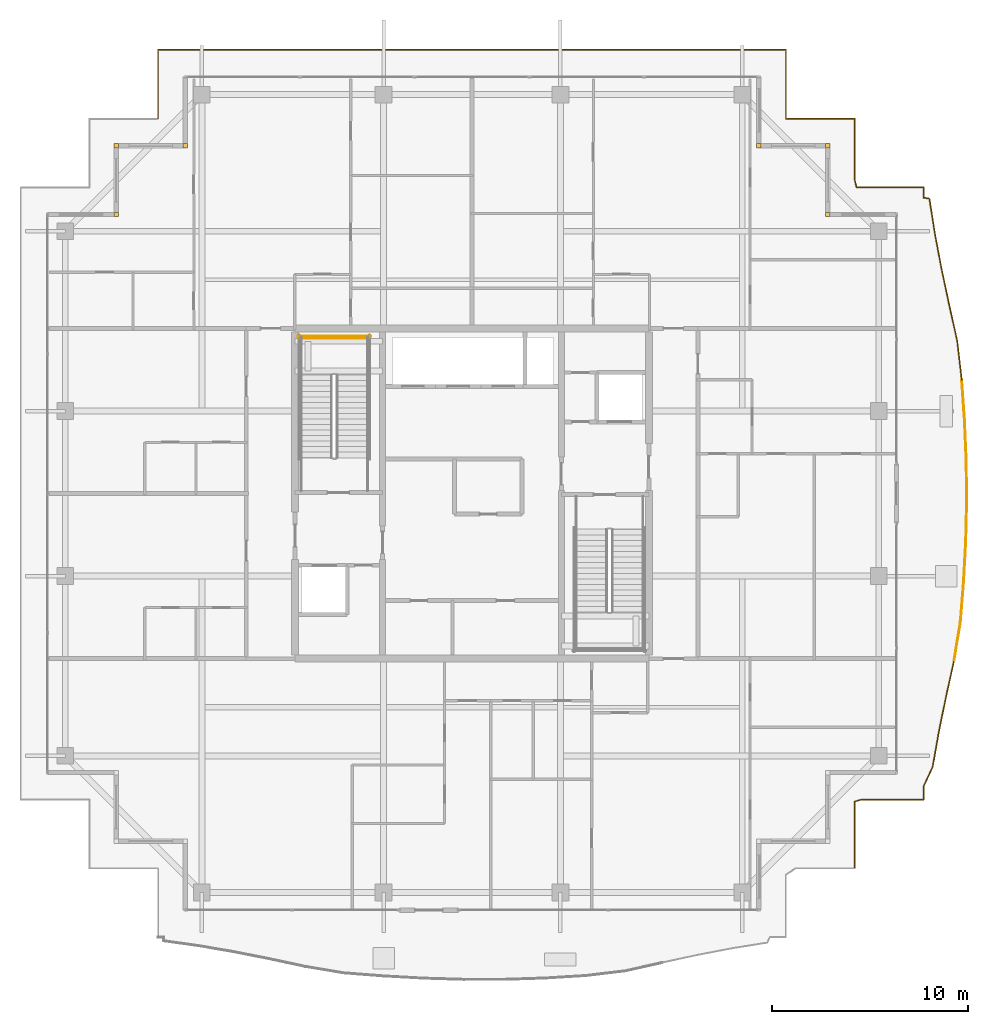
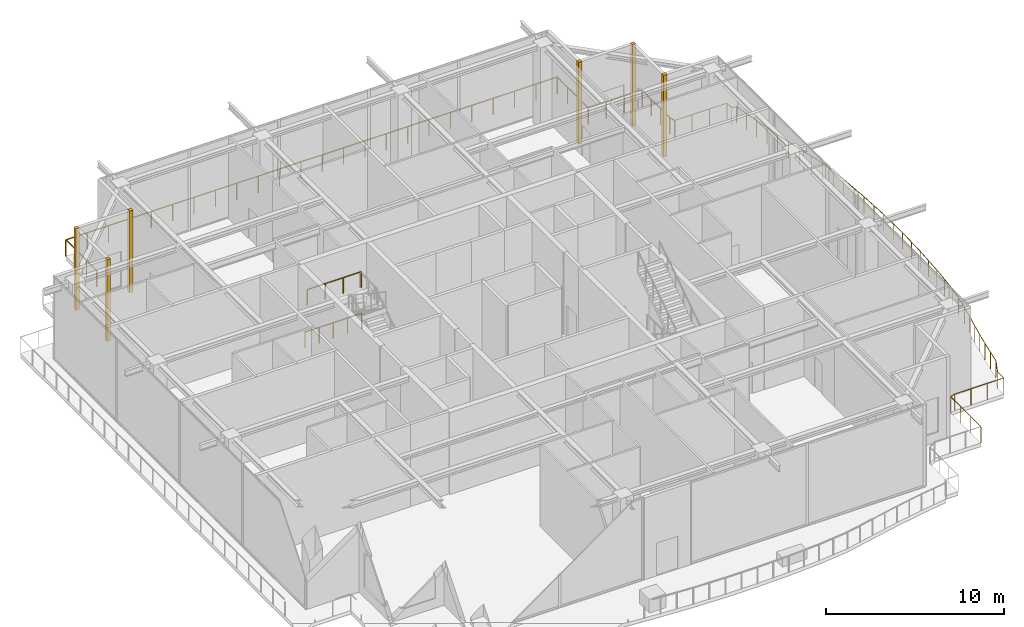
# One storey, part 38 of 38: 6 coverings, 6 railings.
"""IFC4 building model written with IfcOpenShell, lengths in metres."""

from ifc_helpers import new_model, si_unit, direction, frame, origin, origin_2d, place, context, subcontext, project, spatial, rectangle, circle, extrude, source, transform, mapped, material, layer, layer_set, type_object, element, save


model = new_model("IFC4")

# Units and contexts
model_context = context("Model", 3, precision=1e-05, world=origin(), true_north=direction((0.0, 1.0)))
body_context = subcontext(model_context, "Body", "Model", "MODEL_VIEW")
ifc_project = project(units=[si_unit("LENGTHUNIT", "METRE"), si_unit("AREAUNIT", "SQUARE_METRE"), si_unit("VOLUMEUNIT", "CUBIC_METRE"), si_unit("PLANEANGLEUNIT", "RADIAN"), si_unit("MASSUNIT", "GRAM", prefix="KILO")], contexts=[model_context])

# Site, building, storey
site_placement = place(None, origin())
site = spatial("IfcSite", under=ifc_project, at=site_placement, CompositionType="ELEMENT")
building_placement = place(site_placement, origin())
building = spatial("IfcBuilding", under=site, at=building_placement, Name="Serunith Strait Residences", CompositionType="ELEMENT")
storey_placement = place(building_placement, frame((0.0, 0.0, 342.050048828125)))
storey = spatial("IfcBuildingStorey", under=building, at=storey_placement, Name="L85", CompositionType="ELEMENT", Elevation=342.050048828125)

# Railings
ifc_material_1 = material(Name="Stainless Steel & Laminated Glass Balustrade", Category="steel")
railing_type_1 = type_object("IfcRailingType", Name="RLG-BALC-1150", PredefinedType="BALUSTRADE", material=ifc_material_1)
railing_1_placement = place(storey_placement, frame((16.367919921875, 44.280029296875, -0.050048828125)))
element("IfcRailing", 1, at=railing_1_placement, inside=storey, type_object=railing_type_1, Name="L85 Swirling Balcony Perimeter Balustrade 2", PredefinedType="BALUSTRADE", context=body_context, shape_type="SweptSolid", body=[
    extrude(circle(Radius=0.02392578125, at=origin_2d()), frame((0.052001953125, 0.029052734375, 1.1259765625), z_axis=(0.0, 1.0, 0.0), x_axis=(-1.0, 0.0, 0.0)), (0.0, 0.0, 1.0), 3.468994140625),
    extrude(circle(Radius=0.02392578125, at=origin_2d()), frame((0.053955078125, 3.5, 1.1259765625), z_axis=(1.0, 0.0, 0.0), x_axis=(0.0, 1.0, 0.0)), (0.0, 0.0, 1.0), 31.9560546875),
    extrude(circle(Radius=0.02392578125, at=origin_2d()), frame((32.011962890625, 3.498046875, 1.1259765625), z_axis=(0.0, -1.0, 0.0), x_axis=(1.0, 0.0, 0.0)), (0.0, 0.0, 1.0), 3.49609375),
    extrude(circle(Radius=0.02392578125, at=origin_2d()), frame((32.013916015625, 0.0, 1.1259765625), z_axis=(1.0, 0.0, 0.0), x_axis=(0.0, 1.0, 0.0)), (0.0, 0.0, 1.0), 3.49609375),
    extrude(circle(Radius=0.02392578125, at=origin_2d()), frame((35.511962890625, -0.001953125, 1.1259765625), z_axis=(0.0, -1.0, 0.0), x_axis=(1.0, 0.0, 0.0)), (0.0, 0.0, 1.0), 3.1064453125),
    extrude(circle(Radius=0.02392578125, at=origin_2d()), frame((35.512451171875, -3.1123046875, 1.1259765625), z_axis=(0.230466383879, -0.97308028749, 0.0), x_axis=(0.97308028749, 0.230466383879, 0.0)), (0.0, 0.0, 1.0), 0.396484375),
    extrude(circle(Radius=0.02099609375, at=origin_2d()), frame((0.052001953125, 0.027099609375, 0.0)), (0.0, 0.0, 1.0), 1.099853515625),
    extrude(circle(Radius=0.02099609375, at=origin_2d()), frame((0.052001953125, 1.184814453125, 0.0)), (0.0, 0.0, 1.0), 1.099853515625),
    extrude(circle(Radius=0.02099609375, at=origin_2d()), frame((0.052001953125, 2.34228515625, 0.0)), (0.0, 0.0, 1.0), 1.099853515625),
    extrude(circle(Radius=0.02099609375, at=origin_2d()), frame((0.052001953125, 3.5, 0.0)), (0.0, 0.0, 1.0), 1.099853515625),
    extrude(circle(Radius=0.02099609375, at=origin_2d()), frame((1.441650390625, 3.5, 0.0)), (0.0, 0.0, 1.0), 1.099853515625),
    extrude(circle(Radius=0.02099609375, at=origin_2d()), frame((2.8310546875, 3.5, 0.0)), (0.0, 0.0, 1.0), 1.099853515625),
    extrude(circle(Radius=0.02099609375, at=origin_2d()), frame((4.220703125, 3.5, 0.0)), (0.0, 0.0, 1.0), 1.099853515625),
    extrude(circle(Radius=0.02099609375, at=origin_2d()), frame((5.6103515625, 3.5, 0.0)), (0.0, 0.0, 1.0), 1.099853515625),
    extrude(circle(Radius=0.02099609375, at=origin_2d()), frame((6.999755859375, 3.5, 0.0)), (0.0, 0.0, 1.0), 1.099853515625),
    extrude(circle(Radius=0.02099609375, at=origin_2d()), frame((8.389404296875, 3.5, 0.0)), (0.0, 0.0, 1.0), 1.099853515625),
    extrude(circle(Radius=0.02099609375, at=origin_2d()), frame((9.779052734375, 3.5, 0.0)), (0.0, 0.0, 1.0), 1.099853515625),
    extrude(circle(Radius=0.02099609375, at=origin_2d()), frame((11.16845703125, 3.5, 0.0)), (0.0, 0.0, 1.0), 1.099853515625),
    extrude(circle(Radius=0.02099609375, at=origin_2d()), frame((12.55810546875, 3.5, 0.0)), (0.0, 0.0, 1.0), 1.099853515625),
    extrude(circle(Radius=0.02099609375, at=origin_2d()), frame((13.94775390625, 3.5, 0.0)), (0.0, 0.0, 1.0), 1.099853515625),
    extrude(circle(Radius=0.02099609375, at=origin_2d()), frame((15.337158203125, 3.5, 0.0)), (0.0, 0.0, 1.0), 1.099853515625),
    extrude(circle(Radius=0.02099609375, at=origin_2d()), frame((16.726806640625, 3.5, 0.0)), (0.0, 0.0, 1.0), 1.099853515625),
    extrude(circle(Radius=0.02099609375, at=origin_2d()), frame((18.1162109375, 3.5, 0.0)), (0.0, 0.0, 1.0), 1.099853515625),
    extrude(circle(Radius=0.02099609375, at=origin_2d()), frame((19.505859375, 3.5, 0.0)), (0.0, 0.0, 1.0), 1.099853515625),
    extrude(circle(Radius=0.02099609375, at=origin_2d()), frame((20.8955078125, 3.5, 0.0)), (0.0, 0.0, 1.0), 1.099853515625),
    extrude(circle(Radius=0.02099609375, at=origin_2d()), frame((22.284912109375, 3.5, 0.0)), (0.0, 0.0, 1.0), 1.099853515625),
    extrude(circle(Radius=0.02099609375, at=origin_2d()), frame((23.674560546875, 3.5, 0.0)), (0.0, 0.0, 1.0), 1.099853515625),
    extrude(circle(Radius=0.02099609375, at=origin_2d()), frame((25.064208984375, 3.5, 0.0)), (0.0, 0.0, 1.0), 1.099853515625),
    extrude(circle(Radius=0.02099609375, at=origin_2d()), frame((26.45361328125, 3.5, 0.0)), (0.0, 0.0, 1.0), 1.099853515625),
    extrude(circle(Radius=0.02099609375, at=origin_2d()), frame((27.84326171875, 3.5, 0.0)), (0.0, 0.0, 1.0), 1.099853515625),
    extrude(circle(Radius=0.02099609375, at=origin_2d()), frame((29.23291015625, 3.5, 0.0)), (0.0, 0.0, 1.0), 1.099853515625),
    extrude(circle(Radius=0.02099609375, at=origin_2d()), frame((30.622314453125, 3.5, 0.0)), (0.0, 0.0, 1.0), 1.099853515625),
    extrude(circle(Radius=0.02099609375, at=origin_2d()), frame((32.011962890625, 3.5, 0.0)), (0.0, 0.0, 1.0), 1.099853515625),
    extrude(circle(Radius=0.02099609375, at=origin_2d()), frame((32.011962890625, 2.333251953125, 0.0)), (0.0, 0.0, 1.0), 1.099853515625),
    extrude(circle(Radius=0.02099609375, at=origin_2d()), frame((32.011962890625, 1.166748046875, 0.0)), (0.0, 0.0, 1.0), 1.099853515625),
    extrude(circle(Radius=0.02099609375, at=origin_2d()), frame((32.011962890625, 0.0, 0.0)), (0.0, 0.0, 1.0), 1.099853515625),
    extrude(circle(Radius=0.02099609375, at=origin_2d()), frame((33.1787109375, 0.0, 0.0)), (0.0, 0.0, 1.0), 1.099853515625),
    extrude(circle(Radius=0.02099609375, at=origin_2d()), frame((34.34521484375, 0.0, 0.0)), (0.0, 0.0, 1.0), 1.099853515625),
    extrude(circle(Radius=0.02099609375, at=origin_2d()), frame((35.511962890625, 0.0, 0.0)), (0.0, 0.0, 1.0), 1.099853515625),
    extrude(circle(Radius=0.02099609375, at=origin_2d()), frame((35.511962890625, -1.036865234375, 0.0)), (0.0, 0.0, 1.0), 1.099853515625),
    extrude(circle(Radius=0.02099609375, at=origin_2d()), frame((35.511962890625, -2.073486328125, 0.0)), (0.0, 0.0, 1.0), 1.099853515625),
    extrude(circle(Radius=0.02099609375, at=origin_2d()), frame((35.511962890625, -3.1103515625, 0.0)), (0.0, 0.0, 1.0), 1.099853515625),
    extrude(circle(Radius=0.02099609375, at=origin_2d()), frame((35.604248046875, -3.5, 0.0)), (0.0, 0.0, 1.0), 1.099853515625),
])
railing_2_placement = place(storey_placement, frame((51.97216796875, 40.780029296875, -0.050048828125)))
element("IfcRailing", 2, at=railing_2_placement, inside=storey, type_object=railing_type_1, Name="L85 Swirling Balcony Perimeter Balustrade 3", PredefinedType="BALUSTRADE", context=body_context, shape_type="SweptSolid", body=[
    extrude(circle(Radius=0.02392578125, at=origin_2d()), frame((0.001953125, 0.0, 1.1259765625), z_axis=(1.0, 0.0, 0.0), x_axis=(0.0, 1.0, 0.0)), (0.0, 0.0, 1.0), 3.40380859375),
    extrude(circle(Radius=0.02392578125, at=origin_2d()), frame((3.40771484375, -0.001953125, 1.1259765625), z_axis=(0.0, -1.0, 0.0), x_axis=(1.0, 0.0, 0.0)), (0.0, 0.0, 1.0), 0.515869140625),
    extrude(circle(Radius=0.02392578125, at=origin_2d()), frame((3.40966796875, -0.52001953125, 1.1259765625), z_axis=(0.989225165625, -0.146402089107, 0.0), x_axis=(0.146402089107, 0.989225165625, 0.0)), (0.0, 0.0, 1.0), 0.2978515625),
    extrude(circle(Radius=0.02392578125, at=origin_2d()), frame((3.70654296875, -0.56591796875, 1.1259765625), z_axis=(0.15471428287, -0.987959255575, 0.0), x_axis=(0.987959255575, 0.15471428287, 0.0)), (0.0, 0.0, 1.0), 1.783935546875),
    extrude(circle(Radius=0.02392578125, at=origin_2d()), frame((3.9833984375, -2.332275390625, 1.1259765625), z_axis=(0.184694614475, -0.982795960199, 0.0), x_axis=(0.982795960199, 0.184694614475, 0.0)), (0.0, 0.0, 1.0), 1.81103515625),
    extrude(circle(Radius=0.02392578125, at=origin_2d()), frame((4.318603515625, -4.115966796875, 1.1259765625), z_axis=(0.207968672699, -0.978135487126, 0.0), x_axis=(0.978135487126, 0.207968672699, 0.0)), (0.0, 0.0, 1.0), 1.85546875),
    extrude(circle(Radius=0.02392578125, at=origin_2d()), frame((4.705322265625, -5.934814453125, 1.1259765625), z_axis=(0.216768821093, -0.976222965414, 0.0), x_axis=(0.976222965414, 0.216768821093, 0.0)), (0.0, 0.0, 1.0), 1.915283203125),
    extrude(circle(Radius=0.02392578125, at=origin_2d()), frame((5.12109375, -7.808349609375, 1.1259765625), z_axis=(0.115069201205, -0.993357477917, 0.0), x_axis=(0.993357477917, 0.115069201205, 0.0)), (0.0, 0.0, 1.0), 1.99462890625),
    extrude(circle(Radius=0.02099609375, at=origin_2d()), origin(), (0.0, 0.0, 1.0), 1.099853515625),
    extrude(circle(Radius=0.02099609375, at=origin_2d()), frame((1.135986328125, 0.0, 0.0)), (0.0, 0.0, 1.0), 1.099853515625),
    extrude(circle(Radius=0.02099609375, at=origin_2d()), frame((2.271728515625, 0.0, 0.0)), (0.0, 0.0, 1.0), 1.099853515625),
    extrude(circle(Radius=0.02099609375, at=origin_2d()), frame((3.40771484375, 0.0, 0.0)), (0.0, 0.0, 1.0), 1.099853515625),
    extrude(circle(Radius=0.02099609375, at=origin_2d()), frame((3.40771484375, -0.519775390625, 0.0)), (0.0, 0.0, 1.0), 1.099853515625),
    extrude(circle(Radius=0.02099609375, at=origin_2d()), frame((3.706298828125, -0.56396484375, 0.0)), (0.0, 0.0, 1.0), 1.099853515625),
    extrude(circle(Radius=0.02099609375, at=origin_2d()), frame((3.8447265625, -1.447265625, 0.0)), (0.0, 0.0, 1.0), 1.099853515625),
    extrude(circle(Radius=0.02099609375, at=origin_2d()), frame((3.98291015625, -2.330322265625, 0.0)), (0.0, 0.0, 1.0), 1.099853515625),
    extrude(circle(Radius=0.02099609375, at=origin_2d()), frame((4.150390625, -3.22216796875, 0.0)), (0.0, 0.0, 1.0), 1.099853515625),
    extrude(circle(Radius=0.02099609375, at=origin_2d()), frame((4.318115234375, -4.114013671875, 0.0)), (0.0, 0.0, 1.0), 1.099853515625),
    extrude(circle(Radius=0.02099609375, at=origin_2d()), frame((4.511474609375, -5.0234375, 0.0)), (0.0, 0.0, 1.0), 1.099853515625),
    extrude(circle(Radius=0.02099609375, at=origin_2d()), frame((4.704833984375, -5.932861328125, 0.0)), (0.0, 0.0, 1.0), 1.099853515625),
    extrude(circle(Radius=0.02099609375, at=origin_2d()), frame((4.912841796875, -6.86962890625, 0.0)), (0.0, 0.0, 1.0), 1.099853515625),
    extrude(circle(Radius=0.02099609375, at=origin_2d()), frame((5.120849609375, -7.806396484375, 0.0)), (0.0, 0.0, 1.0), 1.099853515625),
    extrude(circle(Radius=0.02099609375, at=origin_2d()), frame((5.23583984375, -8.799072265625, 0.0)), (0.0, 0.0, 1.0), 1.099853515625),
    extrude(circle(Radius=0.02099609375, at=origin_2d()), frame((5.350830078125, -9.791748046875, 0.0)), (0.0, 0.0, 1.0), 1.099853515625),
])
railing_3_placement = place(storey_placement, frame((57.322998046875, 30.98828125, -0.050048828125)))
element("IfcRailing", 3, at=railing_3_placement, inside=storey, type_object=railing_type_1, Name="L85 Swirling Balcony Perimeter Balustrade 4", PredefinedType="BALUSTRADE", context=body_context, shape_type="SweptSolid", body=[
    extrude(circle(Radius=0.02392578125, at=origin_2d()), frame((0.000244140625, -0.001953125, 1.1259765625), z_axis=(0.071051535157, -0.997472645917, 0.0), x_axis=(0.997472645917, 0.071051535157, 0.0)), (0.0, 0.0, 1.0), 2.037109375),
    extrude(circle(Radius=0.02392578125, at=origin_2d()), frame((0.14501953125, -2.037841796875, 1.1259765625), z_axis=(0.043026846377, -0.99907391643, 0.0), x_axis=(0.99907391643, 0.043026846377, 0.0)), (0.0, 0.0, 1.0), 2.061279296875),
    extrude(circle(Radius=0.02392578125, at=origin_2d()), frame((0.23388671875, -4.101318359375, 1.1259765625), z_axis=(0.010575201797, -0.99994408099, 0.0), x_axis=(0.99994408099, 0.010575201797, 0.0)), (0.0, 0.0, 1.0), 2.07373046875),
    extrude(circle(Radius=0.02392578125, at=origin_2d()), frame((0.255859375, -6.178955078125, 1.1259765625), z_axis=(-0.023066256851, -0.999733938503, 0.0), x_axis=(0.999733938503, -0.023066256851, 0.0)), (0.0, 0.0, 1.0), 2.070556640625),
    extrude(circle(Radius=0.02392578125, at=origin_2d()), frame((0.2080078125, -8.2529296875, 1.1259765625), z_axis=(-0.05422145002, -0.998528935163, 0.0), x_axis=(0.998528935163, -0.05422145002, 0.0)), (0.0, 0.0, 1.0), 2.0537109375),
    extrude(circle(Radius=0.02392578125, at=origin_2d()), frame((0.09619140625, -10.3076171875, 1.1259765625), z_axis=(-0.07987910057, -0.996804559225, 0.0), x_axis=(0.996804559225, -0.07987910057, 0.0)), (0.0, 0.0, 1.0), 2.025390625),
    extrude(circle(Radius=0.02392578125, at=origin_2d()), frame((-0.06591796875, -12.33056640625, 1.1259765625), z_axis=(-0.16315145392, -0.986601035416, 0.0), x_axis=(0.986601035416, -0.16315145392, 0.0)), (0.0, 0.0, 1.0), 1.9638671875),
    extrude(circle(Radius=0.02099609375, at=origin_2d()), origin(), (0.0, 0.0, 1.0), 1.099853515625),
    extrude(circle(Radius=0.02099609375, at=origin_2d()), frame((0.072509765625, -1.01806640625, 0.0)), (0.0, 0.0, 1.0), 1.099853515625),
    extrude(circle(Radius=0.02099609375, at=origin_2d()), frame((0.14501953125, -2.035888671875, 0.0)), (0.0, 0.0, 1.0), 1.099853515625),
    extrude(circle(Radius=0.02099609375, at=origin_2d()), frame((0.189453125, -3.067626953125, 0.0)), (0.0, 0.0, 1.0), 1.099853515625),
    extrude(circle(Radius=0.02099609375, at=origin_2d()), frame((0.23388671875, -4.099365234375, 0.0)), (0.0, 0.0, 1.0), 1.099853515625),
    extrude(circle(Radius=0.02099609375, at=origin_2d()), frame((0.244873046875, -5.13818359375, 0.0)), (0.0, 0.0, 1.0), 1.099853515625),
    extrude(circle(Radius=0.02099609375, at=origin_2d()), frame((0.255859375, -6.177001953125, 0.0)), (0.0, 0.0, 1.0), 1.099853515625),
    extrude(circle(Radius=0.02099609375, at=origin_2d()), frame((0.23193359375, -7.2138671875, 0.0)), (0.0, 0.0, 1.0), 1.099853515625),
    extrude(circle(Radius=0.02099609375, at=origin_2d()), frame((0.2080078125, -8.2509765625, 0.0)), (0.0, 0.0, 1.0), 1.099853515625),
    extrude(circle(Radius=0.02099609375, at=origin_2d()), frame((0.15234375, -9.2783203125, 0.0)), (0.0, 0.0, 1.0), 1.099853515625),
    extrude(circle(Radius=0.02099609375, at=origin_2d()), frame((0.096435546875, -10.3056640625, 0.0)), (0.0, 0.0, 1.0), 1.099853515625),
    extrude(circle(Radius=0.02099609375, at=origin_2d()), frame((0.015380859375, -11.317138671875, 0.0)), (0.0, 0.0, 1.0), 1.099853515625),
    extrude(circle(Radius=0.02099609375, at=origin_2d()), frame((-0.065673828125, -12.32861328125, 0.0)), (0.0, 0.0, 1.0), 1.099853515625),
    extrude(circle(Radius=0.02099609375, at=origin_2d()), frame((-0.22607421875, -13.29931640625, 0.0)), (0.0, 0.0, 1.0), 1.099853515625),
    extrude(circle(Radius=0.02099609375, at=origin_2d()), frame((-0.38671875, -14.27001953125, 0.0)), (0.0, 0.0, 1.0), 1.099853515625),
])
railing_4_placement = place(storey_placement, frame((56.936279296875, 16.71826171875, -0.050048828125)))
element("IfcRailing", 4, at=railing_4_placement, inside=storey, type_object=railing_type_1, Name="L85 Swirling Balcony Perimeter Balustrade 5", PredefinedType="BALUSTRADE", context=body_context, shape_type="SweptSolid", body=[
    extrude(circle(Radius=0.02392578125, at=origin_2d()), frame((-0.00048828125, -0.001953125, 1.1259765625), z_axis=(-0.215648112414, -0.976471142232, 0.0), x_axis=(0.976471142232, -0.215648112414, 0.0)), (0.0, 0.0, 1.0), 1.89111328125),
    extrude(circle(Radius=0.02392578125, at=origin_2d()), frame((-0.4091796875, -1.8525390625, 1.1259765625), z_axis=(-0.200526424824, -0.979688293769, 0.0), x_axis=(0.979688293769, -0.200526424824, 0.0)), (0.0, 0.0, 1.0), 1.8369140625),
    extrude(circle(Radius=0.02392578125, at=origin_2d()), frame((-0.778076171875, -3.656005859375, 1.1259765625), z_axis=(-0.173854851426, -0.984771288491, 0.0), x_axis=(0.984771288491, -0.173854851426, 0.0)), (0.0, 0.0, 1.0), 1.799072265625),
    extrude(circle(Radius=0.02392578125, at=origin_2d()), frame((-1.092041015625, -5.431396484375, 1.1259765625), z_axis=(-0.423835263121, -0.905739294574, 0.0), x_axis=(0.905739294574, -0.423835263121, 0.0)), (0.0, 0.0, 1.0), 1.09326171875),
    extrude(circle(Radius=0.02392578125, at=origin_2d()), frame((-1.556396484375, -6.425537109375, 1.1259765625), z_axis=(0.0, -1.0, 0.0), x_axis=(1.0, 0.0, 0.0)), (0.0, 0.0, 1.0), 0.670654296875),
    extrude(circle(Radius=0.02392578125, at=origin_2d()), frame((-1.558349609375, -7.09814453125, 1.1259765625), z_axis=(-1.0, 0.0, 0.0), x_axis=(0.0, -1.0, 0.0)), (0.0, 0.0, 1.0), 3.17138671875),
    extrude(circle(Radius=0.02392578125, at=origin_2d()), frame((-4.733642578125, -7.0986328125, 1.1259765625), z_axis=(-0.957229971187, -0.289328156705, 0.0), x_axis=(0.289328156705, -0.957229971187, 0.0)), (0.0, 0.0, 1.0), 0.335205078125),
    extrude(circle(Radius=0.02392578125, at=origin_2d()), frame((-5.056396484375, -7.1982421875, 1.1259765625), z_axis=(0.0, -1.0, 0.0), x_axis=(1.0, 0.0, 0.0)), (0.0, 0.0, 1.0), 3.39794921875),
    extrude(circle(Radius=0.02099609375, at=origin_2d()), origin(), (0.0, 0.0, 1.0), 1.099853515625),
    extrude(circle(Radius=0.02099609375, at=origin_2d()), frame((-0.204345703125, -0.92529296875, 0.0)), (0.0, 0.0, 1.0), 1.099853515625),
    extrude(circle(Radius=0.02099609375, at=origin_2d()), frame((-0.40869140625, -1.8505859375, 0.0)), (0.0, 0.0, 1.0), 1.099853515625),
    extrude(circle(Radius=0.02099609375, at=origin_2d()), frame((-0.59326171875, -2.75244140625, 0.0)), (0.0, 0.0, 1.0), 1.099853515625),
    extrude(circle(Radius=0.02099609375, at=origin_2d()), frame((-0.77783203125, -3.654052734375, 0.0)), (0.0, 0.0, 1.0), 1.099853515625),
    extrude(circle(Radius=0.02099609375, at=origin_2d()), frame((-0.9345703125, -4.5419921875, 0.0)), (0.0, 0.0, 1.0), 1.099853515625),
    extrude(circle(Radius=0.02099609375, at=origin_2d()), frame((-1.09130859375, -5.4296875, 0.0)), (0.0, 0.0, 1.0), 1.099853515625),
    extrude(circle(Radius=0.02099609375, at=origin_2d()), frame((-1.556396484375, -6.423583984375, 0.0)), (0.0, 0.0, 1.0), 1.099853515625),
    extrude(circle(Radius=0.02099609375, at=origin_2d()), frame((-1.556396484375, -7.09814453125, 0.0)), (0.0, 0.0, 1.0), 1.099853515625),
    extrude(circle(Radius=0.02099609375, at=origin_2d()), frame((-2.61474609375, -7.09814453125, 0.0)), (0.0, 0.0, 1.0), 1.099853515625),
    extrude(circle(Radius=0.02099609375, at=origin_2d()), frame((-3.67333984375, -7.09814453125, 0.0)), (0.0, 0.0, 1.0), 1.099853515625),
    extrude(circle(Radius=0.02099609375, at=origin_2d()), frame((-4.731689453125, -7.09814453125, 0.0)), (0.0, 0.0, 1.0), 1.099853515625),
    extrude(circle(Radius=0.02099609375, at=origin_2d()), frame((-5.056396484375, -7.1962890625, 0.0)), (0.0, 0.0, 1.0), 1.099853515625),
    extrude(circle(Radius=0.02099609375, at=origin_2d()), frame((-5.056396484375, -8.330322265625, 0.0)), (0.0, 0.0, 1.0), 1.099853515625),
    extrude(circle(Radius=0.02099609375, at=origin_2d()), frame((-5.056396484375, -9.464111328125, 0.0)), (0.0, 0.0, 1.0), 1.099853515625),
    extrude(circle(Radius=0.02099609375, at=origin_2d()), frame((-5.056396484375, -10.59814453125, 0.0)), (0.0, 0.0, 1.0), 1.099853515625),
])
ifc_material_2 = material(Name="Brushed stainless steel 316L", Category="steel")
railing_type_2 = type_object("IfcRailingType", Name="RLG-STAIR-GUARD", PredefinedType="BALUSTRADE", material=ifc_material_2)
railing_5_placement = place(storey_placement, frame((27.14990234375, 33.10009765625, 2.949951171875)))
element("IfcRailing", 5, at=railing_5_placement, inside=storey, type_object=railing_type_2, Name="L85 ST-1 stair guard 5", PredefinedType="BALUSTRADE", context=body_context, shape_type="SweptSolid", body=[
    extrude(circle(Radius=0.02392578125, at=origin_2d()), frame((-0.001953125, 0.0, 1.076171875), z_axis=(-1.0, 0.0, 0.0), x_axis=(0.0, -1.0, 0.0)), (0.0, 0.0, 1.0), 3.49609375),
    extrude(circle(Radius=0.02099609375, at=origin_2d()), origin(), (0.0, 0.0, 1.0), 1.050048828125),
    extrude(circle(Radius=0.02099609375, at=origin_2d()), frame((-1.166748046875, 0.0, 0.0)), (0.0, 0.0, 1.0), 1.050048828125),
    extrude(circle(Radius=0.02099609375, at=origin_2d()), frame((-2.333251953125, 0.0, 0.0)), (0.0, 0.0, 1.0), 1.050048828125),
    extrude(circle(Radius=0.02099609375, at=origin_2d()), frame((-3.5, 0.0, 0.0)), (0.0, 0.0, 1.0), 1.050048828125),
])
railing_6_placement = place(storey_placement, frame((27.25, 33.199951171875, 0.0)))
element("IfcRailing", 6, at=railing_6_placement, inside=storey, type_object=railing_type_2, Name="L85 ST-1 stair guard 12", PredefinedType="BALUSTRADE", context=body_context, shape_type="SweptSolid", body=[
    extrude(circle(Radius=0.02392578125, at=origin_2d()), frame((-0.001953125, 0.0, 1.076171875), z_axis=(-1.0, 0.0, 0.0), x_axis=(0.0, -1.0, 0.0)), (0.0, 0.0, 1.0), 3.696044921875),
    extrude(circle(Radius=0.02099609375, at=origin_2d()), origin(), (0.0, 0.0, 1.0), 1.050048828125),
    extrude(circle(Radius=0.02099609375, at=origin_2d()), frame((-0.925048828125, 0.0, 0.0)), (0.0, 0.0, 1.0), 1.050048828125),
    extrude(circle(Radius=0.02099609375, at=origin_2d()), frame((-1.85009765625, 0.0, 0.0)), (0.0, 0.0, 1.0), 1.050048828125),
    extrude(circle(Radius=0.02099609375, at=origin_2d()), frame((-2.77490234375, 0.0, 0.0)), (0.0, 0.0, 1.0), 1.050048828125),
    extrude(circle(Radius=0.02099609375, at=origin_2d()), frame((-3.699951171875, 0.0, 0.0)), (0.0, 0.0, 1.0), 1.050048828125),
])

# Coverings
ifc_material_3 = material(Name="Pale-Champagne Anodised Aluminium", Category="aluminium")
ifc_layer = layer(ifc_material_3, 0.219970703125, Name="Pale-Champagne Anodised Aluminium")
ifc_layer_set = layer_set([ifc_layer], Name="Pale-Champagne Anodised Aluminium")
covering_type = type_object("IfcCoveringType", Name="COV-CORN-TRIM", PredefinedType="CLADDING", material=ifc_layer_set)
shared_shape = source(origin(), body_context, "Body", "SweptSolid", [
    extrude(rectangle(XDim=0.221923828125, YDim=0.221923828125, at=origin_2d()), origin(), (0.0, 0.0, 1.0), 5.625),
])
for number, where, z_axis, x_axis, name in (
    (7, (50.5, 39.39990234375, 0.0), (0.0, 0.0, 1.0), (1.0, 0.0, 0.0), "L85 Girih Serrated Corner Trim Post 07"),
    (8, (50.5, 42.89990234375, 0.0), (0.0, 0.0, 1.0), (1.0, 0.0, 0.0), "L85 Girih Serrated Corner Trim Post 08"),
    (9, (47.0, 42.89990234375, 0.0), (0.0, 0.0, 1.0), (1.0, 0.0, 0.0), "L85 Girih Serrated Corner Trim Post 09"),
    (10, (17.800048828125, 42.89990234375, 0.0), (0.0, 0.0, 1.0), (1.0, 0.0, 0.0), "L85 Girih Serrated Corner Trim Post 12"),
    (11, (14.300048828125, 42.89990234375, 0.0), (0.0, 0.0, 1.0), (1.0, 0.0, 0.0), "L85 Girih Serrated Corner Trim Post 13"),
    (12, (14.300048828125, 39.39990234375, 0.0), (0.0, 0.0, 1.0), (1.0, 0.0, 0.0), "L85 Girih Serrated Corner Trim Post 14"),
):
    element("IfcCovering", number, at=place(storey_placement, frame(where, z_axis=z_axis, x_axis=x_axis)), inside=storey, type_object=covering_type, Name=name, PredefinedType="CLADDING", context=body_context, shape_type="MappedRepresentation", body=[
        mapped(shared_shape, transform((0.0, 0.0, 0.0), scale=1.0)),
    ])

save(model, "model.ifc")
